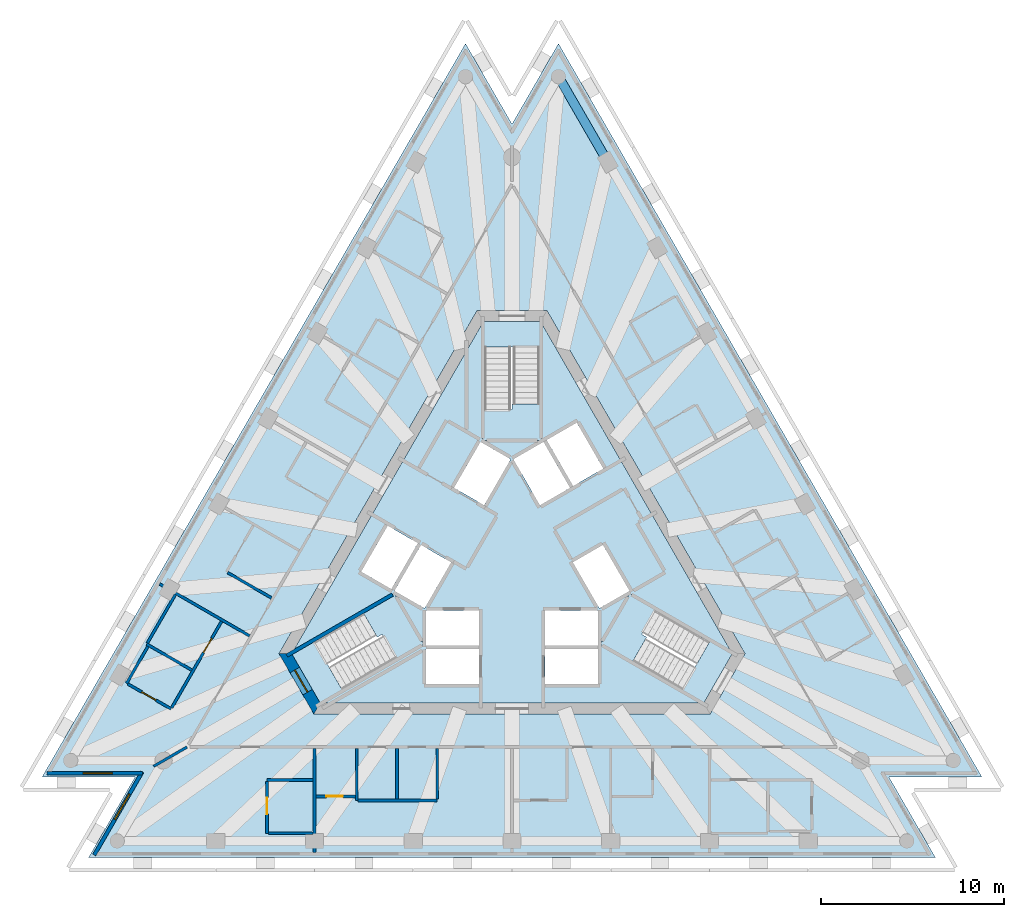
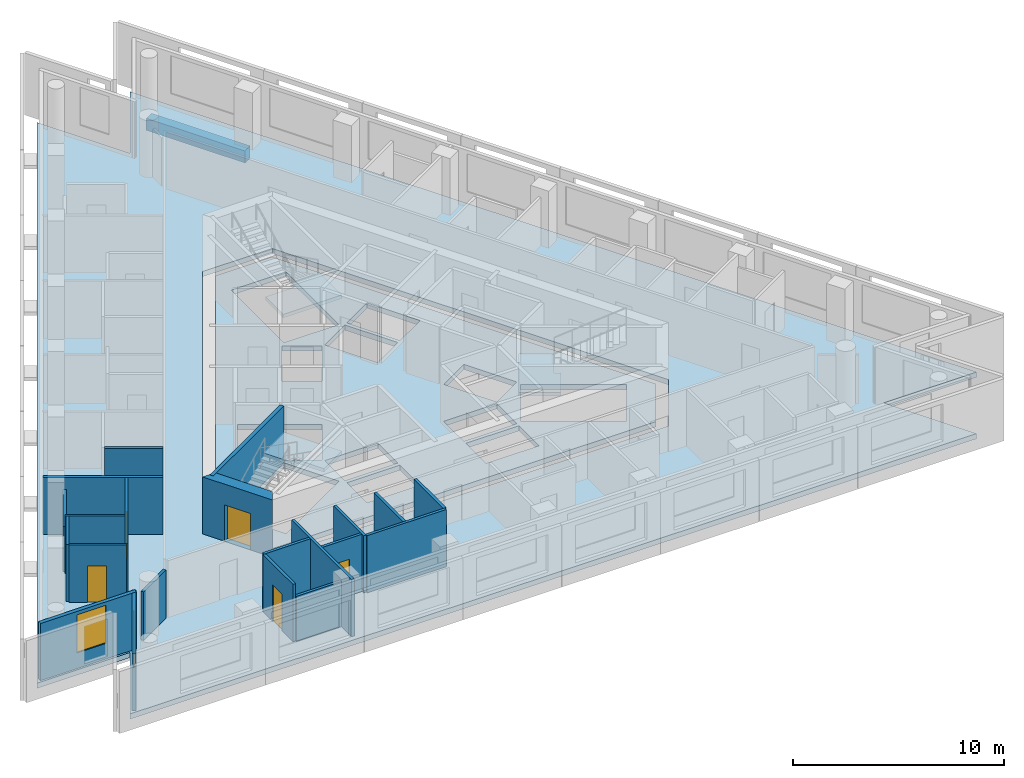
# One storey, part 2 of 10: 21 walls, 5 doors, 5 slabs, 2 windows, 1 beam, 7 openings, 3 elements without a shape of their own.
"""IFC4 building model written with IfcOpenShell, lengths in metres."""

from ifc_helpers import new_model, si_unit, direction, frame, frame_2d, origin, origin_2d, place, context, subcontext, project, spatial, polyline, rectangle, outline, extrude, material, layer, layer_set, layer_usage, material_profile, profile_set, type_object, element, fill, aggregate, save


model = new_model("IFC4")

# Units and contexts
model_context = context("Model", 3, precision=1e-05, world=origin(), true_north=direction((0.0, 1.0)))
body_context = subcontext(model_context, "Body", "Model", "MODEL_VIEW")
ifc_project = project(units=[si_unit("LENGTHUNIT", "METRE"), si_unit("AREAUNIT", "SQUARE_METRE"), si_unit("VOLUMEUNIT", "CUBIC_METRE"), si_unit("PLANEANGLEUNIT", "RADIAN"), si_unit("MASSUNIT", "GRAM", prefix="KILO")], contexts=[model_context])

# Site, building, storey
site_placement = place(None, origin())
site = spatial("IfcSite", under=ifc_project, at=site_placement, CompositionType="ELEMENT")
building_placement = place(site_placement, origin())
building = spatial("IfcBuilding", under=site, at=building_placement, Name="Triada Interchange Tower", CompositionType="ELEMENT")
storey_placement = place(building_placement, frame((0.0, 0.0, 297.10009765625)))
storey = spatial("IfcBuildingStorey", under=building, at=storey_placement, Name="L70", CompositionType="ELEMENT", Elevation=297.10009765625)

# Beam
ifc_material_1 = material(Name="Concrete C50/60", Category="concrete")
ifc_material_profile = material_profile(ifc_material_1, rectangle(XDim=0.5, YDim=0.699951171875, at=origin_2d()), Name="RC 500x700")
ifc_profile_set = profile_set([ifc_material_profile], Name="Concrete C50/60")
beam_type = type_object("IfcBeamType", Name="Spandrel beam D RC 500x700", PredefinedType="BEAM", material=ifc_profile_set)
beam_placement = place(storey_placement, frame((5.236083984375, 21.7099609375, -0.650146484375), z_axis=(-0.49994052929, 0.866059736492, 0.0), x_axis=(-0.866059736492, -0.49994052929, 0.0)))
element("IfcBeam", 1, at=beam_placement, inside=storey, type_object=beam_type, Name="Spandrel beam ED28 L70", PredefinedType="BEAM", context=body_context, shape_type="SweptSolid", body=[
    extrude(rectangle(XDim=0.5, YDim=0.699951171875, at=origin_2d()), origin(), (0.0, 0.0, 1.0), 5.394775390625),
])

# Slabs
ifc_layer_1 = layer(ifc_material_1, 0.300048828125)
ifc_layer_set_1 = layer_set([ifc_layer_1], Name="Floor slab 300")
slab_type_1 = type_object("IfcSlabType", Name="Floor slab 300", PredefinedType="FLOOR", material=ifc_layer_set_1)
slab_1_placement = place(storey_placement, frame((0.0, 0.0, -0.300048828125)))
element("IfcSlab", 2, at=slab_1_placement, inside=storey, type_object=slab_type_1, Name="Floor slab L70", PredefinedType="FLOOR", context=body_context, shape_type="SweptSolid", body=[
    extrude(outline(polyline([(-2.5390625, 28.181884765625), (-25.676025390625, -11.89208984375), (-20.596923828125, -11.89208984375), (-23.135986328125, -16.2900390625), (23.135986328125, -16.2900390625), (20.596923828125, -11.89208984375), (25.676025390625, -11.89208984375), (2.5390625, 28.181884765625), (0.0, 23.782958984375), (-2.5390625, 28.181884765625)]), holes=[polyline([(1.905029296875, 13.60009765625), (-1.905029296875, 13.60009765625), (-12.73095703125, -5.14990234375), (-10.824951171875, -8.449951171875), (10.824951171875, -8.449951171875), (12.73095703125, -5.14990234375), (1.905029296875, 13.60009765625)])]), origin(), (0.0, 0.0, 1.0), 0.300048828125),
])
slab_2_placement = place(storey_placement, frame((0.0, 0.0, -0.300048828125)))
element("IfcSlab", 3, at=slab_2_placement, inside=storey, type_object=slab_type_1, Name="Core floor slab L70 1", PredefinedType="FLOOR", context=body_context, shape_type="SweptSolid", body=[
    extrude(outline(polyline([(12.0380859375, -5.14990234375), (10.47900390625, -7.85009765625), (-10.47900390625, -7.85009765625), (-12.0380859375, -5.14990234375), (-1.55908203125, 13.0), (1.55908203125, 13.0), (12.0380859375, -5.14990234375)]), holes=[polyline([(9.2958984375, -7.09912109375), (10.7958984375, -4.5009765625), (6.466064453125, -2.0009765625), (4.966064453125, -4.59912109375), (9.2958984375, -7.09912109375)]), polyline([(4.969970703125, 0.791015625), (3.324951171875, -0.158935546875), (4.77490234375, -2.669921875), (6.419921875, -1.719970703125), (4.969970703125, 0.791015625)]), polyline([(1.89404296875, 6.52001953125), (3.343994140625, 4.009033203125), (4.989013671875, 4.958984375), (3.5390625, 7.469970703125), (1.89404296875, 6.52001953125)]), polyline([(1.800048828125, -4.89990234375), (1.800048828125, -6.4990234375), (1.800048828125, -6.800048828125), (4.699951171875, -6.800048828125), (4.699951171875, -4.89990234375), (1.800048828125, -4.89990234375)]), polyline([(4.699951171875, -2.800048828125), (1.800048828125, -2.800048828125), (1.800048828125, -4.699951171875), (4.699951171875, -4.699951171875), (4.699951171875, -2.800048828125)]), polyline([(1.52490234375, 2.958984375), (2.594970703125, 3.576904296875), (3.169921875, 3.908935546875), (1.719970703125, 6.419921875), (0.074951171875, 5.469970703125), (1.52490234375, 2.958984375)]), polyline([(-1.5, 11.60009765625), (-1.5, 6.60009765625), (1.5, 6.60009765625), (1.5, 11.60009765625), (-1.5, 11.60009765625)]), polyline([(-1.52490234375, 2.958984375), (-0.074951171875, 5.469970703125), (-1.719970703125, 6.419921875), (-3.169921875, 3.908935546875), (-1.52490234375, 2.958984375)]), polyline([(-1.800048828125, -2.800048828125), (-4.699951171875, -2.800048828125), (-4.699951171875, -4.699951171875), (-1.800048828125, -4.699951171875), (-1.800048828125, -2.800048828125)]), polyline([(-4.699951171875, -6.800048828125), (-1.800048828125, -6.800048828125), (-1.800048828125, -6.4990234375), (-1.800048828125, -4.89990234375), (-4.699951171875, -4.89990234375), (-4.699951171875, -6.800048828125)]), polyline([(-3.427978515625, -0.09912109375), (-4.969970703125, 0.791015625), (-6.419921875, -1.719970703125), (-4.77490234375, -2.669921875), (-3.324951171875, -0.158935546875), (-3.427978515625, -0.09912109375)]), polyline([(-10.7958984375, -4.5009765625), (-9.2958984375, -7.09912109375), (-4.966064453125, -4.59912109375), (-6.466064453125, -2.0009765625), (-10.7958984375, -4.5009765625)]), polyline([(-6.593994140625, -1.6201171875), (-5.14404296875, 0.89111328125), (-6.7890625, 1.841064453125), (-8.239013671875, -0.669921875), (-6.593994140625, -1.6201171875)])]), origin(), (0.0, 0.0, 1.0), 0.300048828125),
])

# Stair, slab
ifc_material_2 = material(Name="Concrete C35/45", Category="concrete")
stair_type = type_object("IfcStairType", Name="HALF TURN STAIR 1400", PredefinedType="HALF_TURN_STAIR", material=ifc_material_2)
stair_1_placement = place(storey_placement, origin())
stair_1 = element("IfcStair", 4, at=stair_1_placement, inside=storey, type_object=stair_type, Name="Exit stair S68-1", PredefinedType="HALF_TURN_STAIR")
ifc_layer_2 = layer(ifc_material_2, 0.199951171875)
ifc_layer_set_2 = layer_set([ifc_layer_2], Name="STAIR LANDING 200")
slab_type_2 = type_object("IfcSlabType", Name="STAIR LANDING 200", PredefinedType="LANDING", material=ifc_layer_set_2)
slab_3_placement = place(storey_placement, frame((0.0, 0.0, 1.521484375)))
slab_3 = element("IfcSlab", 5, at=slab_3_placement, type_object=slab_type_2, Name="S68-1 landing 1", PredefinedType="LANDING", context=body_context, shape_type="SweptSolid", body=[
    extrude(outline(polyline([(1.60009765625, 6.5), (1.60009765625, 8.5), (0.0, 8.5), (0.0, 8.18994140625), (-1.60009765625, 8.18994140625), (-1.60009765625, 6.5), (1.60009765625, 6.5)])), origin(), (0.0, 0.0, 1.0), 0.2001953125),
])
aggregate(stair_1, [slab_3])

stair_2_placement = place(storey_placement, origin())
stair_2 = element("IfcStair", 6, at=stair_2_placement, inside=storey, type_object=stair_type, Name="Exit stair S68-2", PredefinedType="HALF_TURN_STAIR")
slab_4_placement = place(storey_placement, frame((0.0, 0.0, 1.521484375)))
slab_4 = element("IfcSlab", 7, at=slab_4_placement, type_object=slab_type_2, Name="S68-2 landing 1", PredefinedType="LANDING", context=body_context, shape_type="SweptSolid", body=[
    extrude(outline(polyline([(-6.428955078125, -1.864013671875), (-8.160888671875, -2.864013671875), (-7.361083984375, -4.25), (-7.093017578125, -4.094970703125), (-6.29296875, -5.48095703125), (-4.8291015625, -4.635986328125), (-6.428955078125, -1.864013671875)])), origin(), (0.0, 0.0, 1.0), 0.2001953125),
])
aggregate(stair_2, [slab_4])

stair_3_placement = place(storey_placement, origin())
stair_3 = element("IfcStair", 8, at=stair_3_placement, inside=storey, type_object=stair_type, Name="Exit stair S68-3", PredefinedType="HALF_TURN_STAIR")
slab_5_placement = place(storey_placement, frame((0.0, 0.0, 1.521484375)))
slab_5 = element("IfcSlab", 9, at=slab_5_placement, type_object=slab_type_2, Name="S68-3 landing 1", PredefinedType="LANDING", context=body_context, shape_type="SweptSolid", body=[
    extrude(outline(polyline([(4.8291015625, -4.635986328125), (6.56103515625, -5.635986328125), (7.361083984375, -4.25), (7.093017578125, -4.094970703125), (7.89306640625, -2.708984375), (6.428955078125, -1.864013671875), (4.8291015625, -4.635986328125)])), origin(), (0.0, 0.0, 1.0), 0.2001953125),
])
aggregate(stair_3, [slab_5])

# Wall
ifc_material_3 = material(Name="Concrete C30/37", Category="concrete")
ifc_layer_3 = layer(ifc_material_3, 0.199951171875)
ifc_layer_set_3 = layer_set([ifc_layer_3], Name="CORE WALL 200 REI 240")
wall_type_1 = type_object("IfcWallType", Name="CORE WALL 200 REI 240", PredefinedType="SOLIDWALL", material=ifc_layer_set_3)
wall_1_placement = place(storey_placement, frame((-12.301025390625, -5.25390625, 0.0), z_axis=(0.0, 0.0, 1.0), x_axis=(0.866068467981, 0.499925403204, 0.0)))
element("IfcWall", 10, at=wall_1_placement, inside=storey, type_object=wall_type_1, Name="Wall L68 112", PredefinedType="SOLIDWALL", context=body_context, shape_type="SweptSolid", body=[
    extrude(rectangle(XDim=6.66455078125, YDim=0.199951171875, at=frame_2d((3.332275390625, 0.0))), origin(), (0.0, 0.0, 1.0), 3.2998046875),
])

# Wall, opening, door
ifc_material_4 = material(Name="Concrete C40/50", Category="concrete")
ifc_layer_4 = layer(ifc_material_4, 0.60009765625)
ifc_layer_set_4 = layer_set([ifc_layer_4], Name="Core wall D 600")
wall_type_2 = type_object("IfcWallType", Name="Core wall D 600", PredefinedType="SHEAR", material=ifc_layer_set_4)
wall_2_placement = place(storey_placement, frame((-12.384033203125, -5.14990234375, -0.300048828125), z_axis=(0.0, 0.0, 1.0), x_axis=(0.49997462182, -0.866040055388, 0.0)))
wall_2 = element("IfcWall", 11, at=wall_2_placement, inside=storey, type_object=wall_type_2, Name="Core wall WD03 L70", PredefinedType="SHEAR", context=body_context, shape_type="SweptSolid", body=[
    extrude(outline(polyline([(-0.173095703125, -0.301025390625), (1.73193359375, -0.300537109375), (3.636962890625, -0.300048828125), (3.291015625, 0.300048828125), (1.73193359375, 0.300048828125), (0.173095703125, 0.300048828125), (-0.173095703125, -0.301025390625)])), origin(), (0.0, 0.0, 1.0), 3.599853515625),
])
opening_1_placement = place(wall_2_placement, frame((1.031982421875, 0.0, 0.300048828125)))
opening_1 = element("IfcOpeningElement", 12, at=opening_1_placement, cuts=wall_2, Name="Opening D68-49", PredefinedType="OPENING", context=body_context, shape_type="SweptSolid", body=[
    extrude(rectangle(XDim=1.39990234375, YDim=2.10009765625, at=frame_2d((0.699951171875, 1.050048828125))), frame((0.0, 0.31005859375, 0.0), z_axis=(0.0, -1.0, 0.0), x_axis=(1.0, 0.0, 0.0)), (0.0, 0.0, 1.0), 0.62109375),
])
ifc_material_5 = material(Name="Steel S235 door leaf", Category="steel")
door_type_1 = type_object("IfcDoorType", Name="STAIR DOOR 1400 EI2 90-C5S200", OperationType="DOUBLE_DOOR_SINGLE_SWING", PredefinedType="DOOR", material=ifc_material_5)
door_1_placement = place(opening_1_placement, origin())
door_1 = element("IfcDoor", 13, at=door_1_placement, inside=storey, type_object=door_type_1, Name="Door D68-49 L70", OperationType="DOUBLE_DOOR_SINGLE_SWING", OverallHeight=2.10009765625, OverallWidth=1.39990234375, PredefinedType="DOOR", context=body_context, shape_type="SweptSolid", body=[
    extrude(rectangle(XDim=1.39990234375, YDim=2.10009765625, at=frame_2d((0.699951171875, 1.050048828125))), frame((0.0, 0.02490234375, 0.0), z_axis=(0.0, -1.0, 0.0), x_axis=(1.0, 0.0, 0.0)), (0.0, 0.0, 1.0), 0.050048828125),
])
fill(opening_1, door_1)

# Wall, opening, window
ifc_material_6 = material(Name="Cement board")
ifc_layer_5 = layer(ifc_material_6, 0.02001953125, Name="Cement board cladding")
ifc_material_7 = material(Name="Sheathing board")
ifc_layer_6 = layer(ifc_material_7, 0.014892578125, Name="Sheathing board")
ifc_material_8 = material(Name="Mineral wool")
ifc_layer_7 = layer(ifc_material_8, 0.14990234375, Name="Mineral wool between steel studs")
ifc_material_9 = material(Name="Gypsum board")
ifc_layer_8 = layer(ifc_material_9, 0.014892578125, Name="Plasterboard lining")
ifc_layer_set_5 = layer_set([ifc_layer_5, ifc_layer_6, ifc_layer_7, ifc_layer_8], Name="External wall 200")
ifc_layer_usage = layer_usage(ifc_layer_set_5, "AXIS2", "POSITIVE", -0.10009765625)
wall_type_3 = type_object("IfcWallType", Name="External wall 200", PredefinedType="ELEMENTEDWALL", material=ifc_layer_set_5)
wall_3_placement = place(storey_placement, frame((-25.419921875, -11.69189453125, 0.0), z_axis=(0.0, 0.0, 1.0), x_axis=(1.0, 0.0, 0.0)))
wall_3 = element("IfcWall", 14, at=wall_3_placement, inside=storey, type_object=wall_type_3, material=ifc_layer_usage, Name="External wall L70 SW-1", PredefinedType="ELEMENTEDWALL", context=body_context, shape_type="SweptSolid", body=[
    extrude(rectangle(XDim=5.239013671875, YDim=0.199951171875, at=frame_2d((2.61962890625, 0.0))), origin(), (0.0, 0.0, 1.0), 3.2998046875),
])
opening_2_placement = place(wall_3_placement, frame((1.989990234375, 0.0, 0.89990234375)))
opening_2 = element("IfcOpeningElement", 15, at=opening_2_placement, cuts=wall_3, Name="Opening WD09", PredefinedType="OPENING", context=body_context, shape_type="SweptSolid", body=[
    extrude(rectangle(XDim=1.60009765625, YDim=2.199951171875, at=frame_2d((0.800048828125, 1.10009765625))), frame((0.0, 0.10986328125, 0.0), z_axis=(0.0, -1.0, 0.0), x_axis=(1.0, 0.0, 0.0)), (0.0, 0.0, 1.0), 0.219970703125),
])
ifc_material_10 = material(Name="Double glazed aluminium window", Category="aluminium")
window_type = type_object("IfcWindowType", Name="Ribbon window D pocket", PartitioningType="SINGLE_PANEL", PredefinedType="WINDOW", material=ifc_material_10)
window_1_placement = place(opening_2_placement, origin())
window_1 = element("IfcWindow", 16, at=window_1_placement, inside=storey, type_object=window_type, Name="Window L70 SW-1 1", OverallHeight=2.199951171875, OverallWidth=1.60009765625, PartitioningType="SINGLE_PANEL", PredefinedType="WINDOW", context=body_context, shape_type="SweptSolid", body=[
    extrude(rectangle(XDim=1.60009765625, YDim=2.199951171875, at=frame_2d((0.800048828125, 1.10009765625))), frame((0.0, 0.030029296875, 0.0), z_axis=(0.0, -1.0, 0.0), x_axis=(1.0, 0.0, 0.0)), (0.0, 0.0, 1.0), 0.06005859375),
])
fill(opening_2, window_1)

wall_4_placement = place(storey_placement, frame((-20.2060546875, -11.614013671875, 0.0), z_axis=(0.0, 0.0, 1.0), x_axis=(-0.499933584342, -0.866063745487, 0.0)))
wall_4 = element("IfcWall", 17, at=wall_4_placement, inside=storey, type_object=wall_type_3, material=ifc_layer_usage, Name="External wall L70 SW-2", PredefinedType="ELEMENTEDWALL", context=body_context, shape_type="SweptSolid", body=[
    extrude(rectangle(XDim=5.238525390625, YDim=0.199951171875, at=frame_2d((2.619140625, 0.0))), origin(), (0.0, 0.0, 1.0), 3.2998046875),
])
opening_3_placement = place(wall_4_placement, frame((1.389892578125, 0.0, 0.89990234375)))
opening_3 = element("IfcOpeningElement", 18, at=opening_3_placement, cuts=wall_4, Name="Opening WD10", PredefinedType="OPENING", context=body_context, shape_type="SweptSolid", body=[
    extrude(rectangle(XDim=1.60009765625, YDim=2.199951171875, at=frame_2d((0.800048828125, 1.10009765625))), frame((0.0, 0.10986328125, 0.0), z_axis=(0.0, -1.0, 0.0), x_axis=(1.0, 0.0, 0.0)), (0.0, 0.0, 1.0), 0.219970703125),
])
window_2_placement = place(opening_3_placement, origin())
window_2 = element("IfcWindow", 19, at=window_2_placement, inside=storey, type_object=window_type, Name="Window L70 SW-2 1", OverallHeight=2.199951171875, OverallWidth=1.60009765625, PartitioningType="SINGLE_PANEL", PredefinedType="WINDOW", context=body_context, shape_type="SweptSolid", body=[
    extrude(rectangle(XDim=1.60009765625, YDim=2.199951171875, at=frame_2d((0.800048828125, 1.10009765625))), frame((0.0, 0.030029296875, 0.0), z_axis=(0.0, -1.0, 0.0), x_axis=(1.0, 0.0, 0.0)), (0.0, 0.0, 1.0), 0.06005859375),
])
fill(opening_3, window_2)

# Walls
ifc_material_11 = material(Name="Gypsum board partition")
ifc_layer_9 = layer(ifc_material_11, 0.14990234375)
ifc_layer_set_6 = layer_set([ifc_layer_9], Name="PARTITION 150 EI 180")
wall_type_4 = type_object("IfcWallType", Name="PARTITION 150 EI 180", PredefinedType="PARTITIONING", material=ifc_layer_set_6)
wall_5_placement = place(storey_placement, frame((-19.574951171875, -11.302001953125, 0.0), z_axis=(0.0, 0.0, 1.0), x_axis=(0.866013598413, 0.500020446946, 0.0)))
element("IfcWall", 20, at=wall_5_placement, inside=storey, type_object=wall_type_4, Name="Wall L68 1", PredefinedType="PARTITIONING", context=body_context, shape_type="SweptSolid", body=[
    extrude(rectangle(XDim=2.10400390625, YDim=0.14990234375, at=frame_2d((1.052001953125, 0.0))), origin(), (0.0, 0.0, 1.0), 2.7998046875),
])
wall_6_placement = place(storey_placement, frame((-19.259033203125, -1.339111328125, 0.0), z_axis=(0.0, 0.0, 1.0), x_axis=(0.86606758311, -0.499926936147, 0.0)))
element("IfcWall", 21, at=wall_6_placement, inside=storey, type_object=wall_type_4, Name="Wall L68 3", PredefinedType="PARTITIONING", context=body_context, shape_type="SweptSolid", body=[
    extrude(rectangle(XDim=5.684326171875, YDim=0.14990234375, at=frame_2d((2.84228515625, 0.0))), origin(), (0.0, 0.0, 1.0), 3.2998046875),
])
wall_7_placement = place(storey_placement, frame((-10.7880859375, -16.010009765625, 0.0), z_axis=(0.0, 0.0, 1.0), x_axis=(0.0, 1.0, 0.0)))
element("IfcWall", 22, at=wall_7_placement, inside=storey, type_object=wall_type_4, Name="Wall L68 10", PredefinedType="PARTITIONING", context=body_context, shape_type="SweptSolid", body=[
    extrude(rectangle(XDim=5.68505859375, YDim=0.14990234375, at=frame_2d((2.842529296875, 0.0))), origin(), (0.0, 0.0, 1.0), 3.2998046875),
])
wall_8_placement = place(storey_placement, frame((-8.488037109375, -13.169921875, 0.0), z_axis=(0.0, 0.0, 1.0), x_axis=(0.0, 1.0, 0.0)))
element("IfcWall", 23, at=wall_8_placement, inside=storey, type_object=wall_type_4, Name="Wall L68 12", PredefinedType="PARTITIONING", context=body_context, shape_type="SweptSolid", body=[
    extrude(rectangle(XDim=2.844970703125, YDim=0.14990234375, at=frame_2d((1.42236328125, 0.0))), origin(), (0.0, 0.0, 1.0), 3.2998046875),
])
wall_9_placement = place(storey_placement, frame((-8.4130859375, -13.169921875, 0.0), z_axis=(0.0, 0.0, 1.0), x_axis=(1.0, 0.0, 0.0)))
element("IfcWall", 24, at=wall_9_placement, inside=storey, type_object=wall_type_4, Name="Wall L68 13", PredefinedType="PARTITIONING", context=body_context, shape_type="SweptSolid", body=[
    extrude(rectangle(XDim=4.3251953125, YDim=0.14990234375, at=frame_2d((2.16259765625, 0.0))), origin(), (0.0, 0.0, 1.0), 3.2998046875),
])
for number, where, z_axis, x_axis, name in (
    (25, (-4.087890625, -13.094970703125, 0.0), (0.0, 0.0, 1.0), (0.0, 1.0, 0.0), "Wall L68 14"),
    (26, (-6.2880859375, -13.094970703125, 0.0), (0.0, 0.0, 1.0), (0.0, 1.0, 0.0), "Wall L68 15"),
):
    element("IfcWall", number, at=place(storey_placement, frame(where, z_axis=z_axis, x_axis=x_axis)), inside=storey, type_object=wall_type_4, Name=name, PredefinedType="PARTITIONING", context=body_context, shape_type="SweptSolid", body=[
        extrude(rectangle(XDim=2.77001953125, YDim=0.14990234375, at=frame_2d((1.385009765625, 0.0))), origin(), (0.0, 0.0, 1.0), 3.2998046875),
    ])
ifc_layer_10 = layer(ifc_material_11, 0.14990234375)
ifc_layer_set_7 = layer_set([ifc_layer_10], Name="PARTITION 150 EI 90")
wall_type_5 = type_object("IfcWallType", Name="PARTITION 150 EI 90", PredefinedType="PARTITIONING", material=ifc_layer_set_7)
wall_10_placement = place(storey_placement, frame((-19.958984375, -4.6298828125, 0.0), z_axis=(0.0, 0.0, 1.0), x_axis=(0.866085557634, -0.499895795999, 0.0)))
element("IfcWall", 27, at=wall_10_placement, inside=storey, type_object=wall_type_5, Name="Wall L68 28", PredefinedType="PARTITIONING", context=body_context, shape_type="SweptSolid", body=[
    extrude(rectangle(XDim=2.8447265625, YDim=0.14990234375, at=frame_2d((1.42236328125, 0.0))), origin(), (0.0, 0.0, 1.0), 3.2998046875),
])
wall_11_placement = place(storey_placement, frame((-21.054931640625, -6.76806640625, 0.0), z_axis=(0.0, 0.0, 1.0), x_axis=(0.499855809005, 0.866108636491, 0.0)))
element("IfcWall", 28, at=wall_11_placement, inside=storey, type_object=wall_type_5, Name="Wall L68 29", PredefinedType="PARTITIONING", context=body_context, shape_type="SweptSolid", body=[
    extrude(rectangle(XDim=2.324462890625, YDim=0.14990234375, at=frame_2d((1.162109375, 0.0))), origin(), (0.0, 0.0, 1.0), 3.2998046875),
])

# Wall, opening, door
wall_12_placement = place(storey_placement, frame((-20.989990234375, -6.805908203125, 0.0), z_axis=(0.0, 0.0, 1.0), x_axis=(0.866112488944, -0.499849133735, 0.0)))
wall_12 = element("IfcWall", 29, at=wall_12_placement, inside=storey, type_object=wall_type_5, Name="Wall L68 30", PredefinedType="PARTITIONING", context=body_context, shape_type="SweptSolid", body=[
    extrude(rectangle(XDim=2.724853515625, YDim=0.14990234375, at=frame_2d((1.3623046875, 0.0))), origin(), (0.0, 0.0, 1.0), 3.2998046875),
])
opening_4_placement = place(wall_12_placement, frame((0.875, 0.0, 0.0)))
opening_4 = element("IfcOpeningElement", 30, at=opening_4_placement, cuts=wall_12, Name="Opening D68-46", PredefinedType="OPENING", context=body_context, shape_type="SweptSolid", body=[
    extrude(rectangle(XDim=0.89990234375, YDim=2.10009765625, at=frame_2d((0.449951171875, 1.050048828125))), frame((0.0, 0.0849609375, 0.0), z_axis=(0.0, -1.0, 0.0), x_axis=(1.0, 0.0, 0.0)), (0.0, 0.0, 1.0), 0.169921875),
])
door_type_2 = type_object("IfcDoorType", Name="SERVICE DOOR 900 EI2 45-C5S200", OperationType="NOTDEFINED", PredefinedType="DOOR", material=ifc_material_5)
door_2_placement = place(opening_4_placement, origin())
door_2 = element("IfcDoor", 31, at=door_2_placement, inside=storey, type_object=door_type_2, Name="Door D68-46 L70", OperationType="SINGLE_SWING_LEFT", OverallHeight=2.10009765625, OverallWidth=0.89990234375, PredefinedType="DOOR", context=body_context, shape_type="SweptSolid", body=[
    extrude(rectangle(XDim=0.89990234375, YDim=2.10009765625, at=frame_2d((0.449951171875, 1.050048828125))), frame((0.0, 0.02490234375, 0.0), z_axis=(0.0, -1.0, 0.0), x_axis=(1.0, 0.0, 0.0)), (0.0, 0.0, 1.0), 0.050048828125),
])
fill(opening_4, door_2)

wall_13_placement = place(storey_placement, frame((-18.593017578125, -8.10302734375, 0.0), z_axis=(0.0, 0.0, 1.0), x_axis=(0.500080528864, 0.865978905431, 0.0)))
wall_13 = element("IfcWall", 32, at=wall_13_placement, inside=storey, type_object=wall_type_5, Name="Wall L68 31", PredefinedType="PARTITIONING", context=body_context, shape_type="SweptSolid", body=[
    extrude(rectangle(XDim=5.44921875, YDim=0.14990234375, at=frame_2d((2.724609375, 0.0))), origin(), (0.0, 0.0, 1.0), 3.2998046875),
])
opening_5_placement = place(wall_13_placement, frame((3.47509765625, 0.0, 0.0)))
opening_5 = element("IfcOpeningElement", 33, at=opening_5_placement, cuts=wall_13, Name="Opening D68-45", PredefinedType="OPENING", context=body_context, shape_type="SweptSolid", body=[
    extrude(rectangle(XDim=0.89990234375, YDim=2.10009765625, at=frame_2d((0.449951171875, 1.050048828125))), frame((0.0, 0.0849609375, 0.0), z_axis=(0.0, -1.0, 0.0), x_axis=(1.0, 0.0, 0.0)), (0.0, 0.0, 1.0), 0.169921875),
])
door_type_3 = type_object("IfcDoorType", Name="ROOM DOOR 900 EI2 45-C5S200", OperationType="NOTDEFINED", PredefinedType="DOOR", material=ifc_material_5)
door_3_placement = place(opening_5_placement, origin())
door_3 = element("IfcDoor", 34, at=door_3_placement, inside=storey, type_object=door_type_3, Name="Door D68-45 L70", OperationType="SINGLE_SWING_RIGHT", OverallHeight=2.10009765625, OverallWidth=0.89990234375, PredefinedType="DOOR", context=body_context, shape_type="SweptSolid", body=[
    extrude(rectangle(XDim=0.89990234375, YDim=2.10009765625, at=frame_2d((0.449951171875, 1.050048828125))), frame((0.0, 0.02490234375, 0.0), z_axis=(0.0, -1.0, 0.0), x_axis=(1.0, 0.0, 0.0)), (0.0, 0.0, 1.0), 0.050048828125),
])
fill(opening_5, door_3)

# Walls
wall_14_placement = place(storey_placement, frame((-19.9208984375, -4.56494140625, 0.0), z_axis=(0.0, 0.0, 1.0), x_axis=(0.500048162978, 0.86599759509, 0.0)))
element("IfcWall", 35, at=wall_14_placement, inside=storey, type_object=wall_type_5, Name="Wall L68 33", PredefinedType="PARTITIONING", context=body_context, shape_type="SweptSolid", body=[
    extrude(rectangle(XDim=3.049560546875, YDim=0.14990234375, at=frame_2d((1.52490234375, 0.0))), origin(), (0.0, 0.0, 1.0), 2.599853515625),
])
wall_15_placement = place(storey_placement, frame((-15.5380859375, -0.721923828125, 0.0), z_axis=(0.0, 0.0, 1.0), x_axis=(0.866049104564, -0.499958946799, 0.0)))
element("IfcWall", 36, at=wall_15_placement, inside=storey, type_object=wall_type_5, Name="Wall L68 37", PredefinedType="PARTITIONING", context=body_context, shape_type="SweptSolid", body=[
    extrude(rectangle(XDim=2.770263671875, YDim=0.14990234375, at=frame_2d((1.38525390625, 0.0))), origin(), (0.0, 0.0, 1.0), 3.2998046875),
])
wall_16_placement = place(storey_placement, frame((-13.387939453125, -12.050048828125, 0.0), z_axis=(0.0, 0.0, 1.0), x_axis=(1.0, 0.0, 0.0)))
element("IfcWall", 37, at=wall_16_placement, inside=storey, type_object=wall_type_5, Name="Wall L68 41", PredefinedType="PARTITIONING", context=body_context, shape_type="SweptSolid", body=[
    extrude(rectangle(XDim=2.52490234375, YDim=0.14990234375, at=frame_2d((1.262451171875, 0.0))), origin(), (0.0, 0.0, 1.0), 3.2998046875),
])

# Wall, opening, door
wall_17_placement = place(storey_placement, frame((-13.387939453125, -14.969970703125, 0.0), z_axis=(0.0, 0.0, 1.0), x_axis=(0.0, 1.0, 0.0)))
wall_17 = element("IfcWall", 38, at=wall_17_placement, inside=storey, type_object=wall_type_5, Name="Wall L68 43", PredefinedType="PARTITIONING", context=body_context, shape_type="SweptSolid", body=[
    extrude(rectangle(XDim=2.844970703125, YDim=0.14990234375, at=frame_2d((1.42236328125, 0.0))), origin(), (0.0, 0.0, 1.0), 3.2998046875),
])
opening_6_placement = place(wall_17_placement, frame((1.050048828125, 0.0, 0.0)))
opening_6 = element("IfcOpeningElement", 39, at=opening_6_placement, cuts=wall_17, Name="Opening D68-12", PredefinedType="OPENING", context=body_context, shape_type="SweptSolid", body=[
    extrude(rectangle(XDim=0.89990234375, YDim=2.10009765625, at=frame_2d((0.449951171875, 1.050048828125))), frame((0.0, 0.0849609375, 0.0), z_axis=(0.0, -1.0, 0.0), x_axis=(1.0, 0.0, 0.0)), (0.0, 0.0, 1.0), 0.169921875),
])
door_4_placement = place(opening_6_placement, origin())
door_4 = element("IfcDoor", 40, at=door_4_placement, inside=storey, type_object=door_type_3, Name="Door D68-12 L70", OperationType="SINGLE_SWING_RIGHT", OverallHeight=2.10009765625, OverallWidth=0.89990234375, PredefinedType="DOOR", context=body_context, shape_type="SweptSolid", body=[
    extrude(rectangle(XDim=0.89990234375, YDim=2.10009765625, at=frame_2d((0.449951171875, 1.050048828125))), frame((0.0, 0.02490234375, 0.0), z_axis=(0.0, -1.0, 0.0), x_axis=(1.0, 0.0, 0.0)), (0.0, 0.0, 1.0), 0.050048828125),
])
fill(opening_6, door_4)

# Wall
wall_18_placement = place(storey_placement, frame((-13.31298828125, -14.969970703125, 0.0), z_axis=(0.0, 0.0, 1.0), x_axis=(1.0, 0.0, 0.0)))
element("IfcWall", 41, at=wall_18_placement, inside=storey, type_object=wall_type_5, Name="Wall L68 44", PredefinedType="PARTITIONING", context=body_context, shape_type="SweptSolid", body=[
    extrude(rectangle(XDim=2.449951171875, YDim=0.14990234375, at=frame_2d((1.22509765625, 0.0))), origin(), (0.0, 0.0, 1.0), 2.599853515625),
])

# Wall, opening, door
wall_19_placement = place(storey_placement, frame((-10.712890625, -12.949951171875, 0.0), z_axis=(0.0, 0.0, 1.0), x_axis=(1.0, 0.0, 0.0)))
wall_19 = element("IfcWall", 42, at=wall_19_placement, inside=storey, type_object=wall_type_5, Name="Wall L68 46", PredefinedType="PARTITIONING", context=body_context, shape_type="SweptSolid", body=[
    extrude(rectangle(XDim=2.14990234375, YDim=0.14990234375, at=frame_2d((1.074951171875, 0.0))), origin(), (0.0, 0.0, 1.0), 3.2998046875),
])
opening_7_placement = place(wall_19_placement, frame((0.574951171875, 0.0, 0.0)))
opening_7 = element("IfcOpeningElement", 43, at=opening_7_placement, cuts=wall_19, Name="Opening D68-14", PredefinedType="OPENING", context=body_context, shape_type="SweptSolid", body=[
    extrude(rectangle(XDim=0.89990234375, YDim=2.10009765625, at=frame_2d((0.449951171875, 1.050048828125))), frame((0.0, 0.0849609375, 0.0), z_axis=(0.0, -1.0, 0.0), x_axis=(1.0, 0.0, 0.0)), (0.0, 0.0, 1.0), 0.169921875),
])
door_5_placement = place(opening_7_placement, origin())
door_5 = element("IfcDoor", 44, at=door_5_placement, inside=storey, type_object=door_type_3, Name="Door D68-14 L70", OperationType="SINGLE_SWING_LEFT", OverallHeight=2.10009765625, OverallWidth=0.89990234375, PredefinedType="DOOR", context=body_context, shape_type="SweptSolid", body=[
    extrude(rectangle(XDim=0.89990234375, YDim=2.10009765625, at=frame_2d((0.449951171875, 1.050048828125))), frame((0.0, 0.02490234375, 0.0), z_axis=(0.0, -1.0, 0.0), x_axis=(1.0, 0.0, 0.0)), (0.0, 0.0, 1.0), 0.050048828125),
])
fill(opening_7, door_5)

save(model, "model.ifc")
